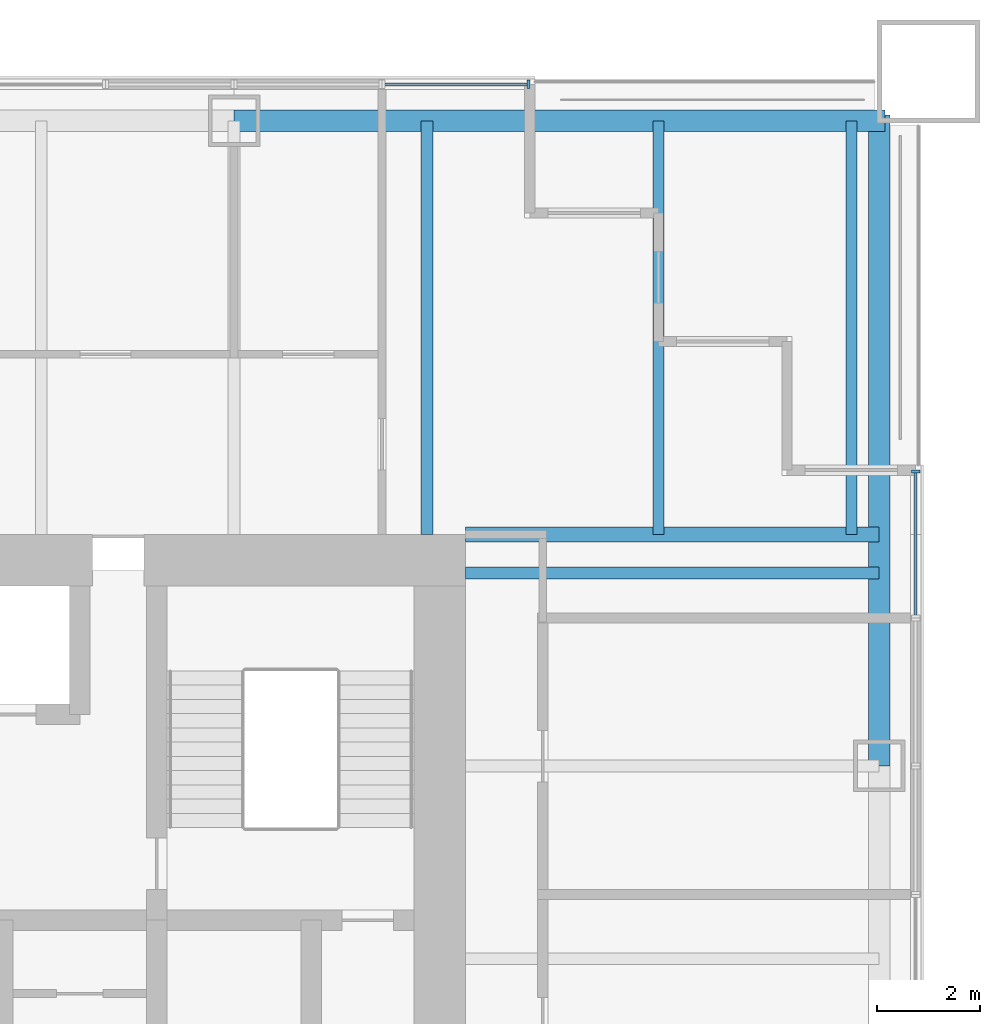
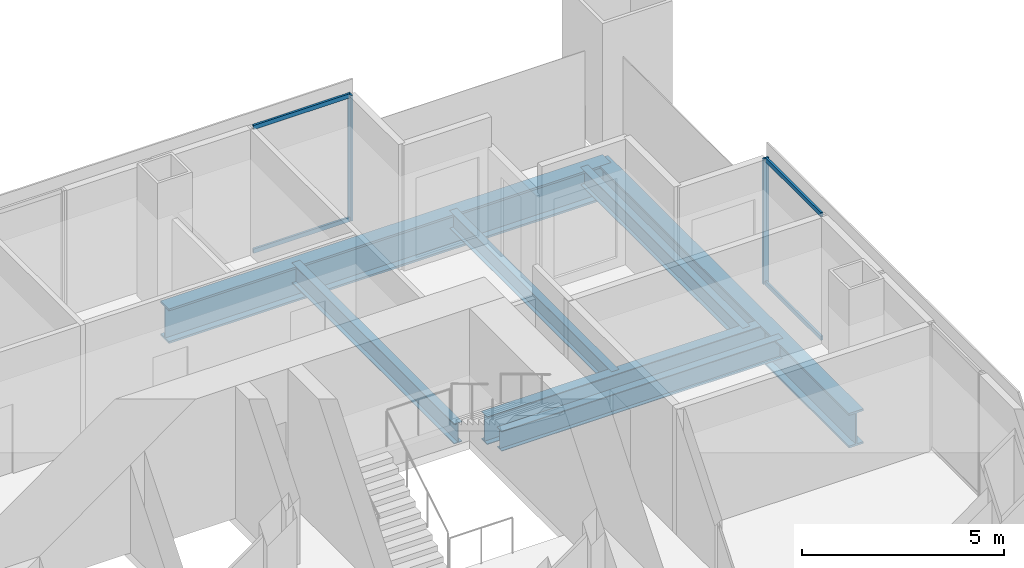
# One storey, part 7 of 15: 7 beams, 6 members, 2 elements without a shape of their own.
"""IFC4 building model written with IfcOpenShell, lengths in metres."""

from ifc_helpers import new_model, si_unit, direction, frame, origin, origin_2d, place, context, subcontext, project, spatial, rectangle, i_section, extrude, material, material_profile, profile_set, type_object, element, aggregate, save


model = new_model("IFC4")

# Units and contexts
model_context = context("Model", 3, precision=1e-05, world=origin(), true_north=direction((0.0, 1.0)))
body_context = subcontext(model_context, "Body", "Model", "MODEL_VIEW")
ifc_project = project(units=[si_unit("LENGTHUNIT", "METRE"), si_unit("AREAUNIT", "SQUARE_METRE"), si_unit("VOLUMEUNIT", "CUBIC_METRE"), si_unit("PLANEANGLEUNIT", "RADIAN"), si_unit("MASSUNIT", "GRAM", prefix="KILO")], contexts=[model_context])

# Site, building, storey
site_placement = place(None, origin())
site = spatial("IfcSite", under=ifc_project, at=site_placement, CompositionType="ELEMENT")
building_placement = place(site_placement, origin())
building = spatial("IfcBuilding", under=site, at=building_placement, Name="Tarangal Relay Tower", CompositionType="ELEMENT")
storey_placement = place(building_placement, frame((0.0, 0.0, 331.89990234375)))
storey = spatial("IfcBuildingStorey", under=building, at=storey_placement, Name="L74", CompositionType="ELEMENT", Elevation=331.89990234375)

# Beams
ifc_material_1 = material(Name="Steel ASTM A992", Category="steel")
ifc_material_profile_1 = material_profile(ifc_material_1, i_section(OverallWidth=0.209228515625, OverallDepth=0.533447265625, WebThickness=0.01025390625, FlangeThickness=0.015625, at=origin_2d()), Name="W21X62")
ifc_profile_set_1 = profile_set([ifc_material_profile_1], Name="Steel ASTM A992")
beam_type_1 = type_object("IfcBeamType", Name="Corner beam W21X62", PredefinedType="JOIST", material=ifc_profile_set_1)
for number, where, z_axis, x_axis, name in (
    (1, (15.75, 12.0, -0.41650390625), (0.0, 1.0, 0.0), (-1.0, 0.0, 0.0), "Corner beam CB12 N L74"),
    (2, (19.5, 12.0, -0.41650390625), (0.0, 1.0, 0.0), (-1.0, 0.0, 0.0), "Corner beam CB12 N L74"),
):
    element("IfcBeam", number, at=place(storey_placement, frame(where, z_axis=z_axis, x_axis=x_axis)), inside=storey, type_object=beam_type_1, Name=name, PredefinedType="JOIST", context=body_context, shape_type="SweptSolid", body=[
        extrude(i_section(OverallWidth=0.209228515625, OverallDepth=0.533447265625, WebThickness=0.01025390625, FlangeThickness=0.015625, at=origin_2d()), origin(), (0.0, 0.0, 1.0), 8.0400390625),
    ])
ifc_material_profile_2 = material_profile(ifc_material_1, i_section(OverallWidth=0.2919921875, OverallDepth=0.8408203125, WebThickness=0.0146484375, FlangeThickness=0.021728515625, at=origin_2d()), Name="W33X130")
ifc_profile_set_2 = profile_set([ifc_material_profile_2], Name="Steel ASTM A992")
beam_type_2 = type_object("IfcBeamType", Name="Corner girder W33X130", PredefinedType="BEAM", material=ifc_profile_set_2)
beam_placement = place(storey_placement, frame((12.0, 12.0, -0.5703125), z_axis=(1.0, 0.0, 0.0), x_axis=(0.0, 1.0, 0.0)))
element("IfcBeam", 3, at=beam_placement, inside=storey, type_object=beam_type_2, Name="Corner girder CG5 N L74", PredefinedType="BEAM", context=body_context, shape_type="SweptSolid", body=[
    extrude(i_section(OverallWidth=0.2919921875, OverallDepth=0.8408203125, WebThickness=0.0146484375, FlangeThickness=0.021728515625, at=origin_2d()), origin(), (0.0, 0.0, 1.0), 8.0400390625),
])
ifc_material_profile_3 = material_profile(ifc_material_1, i_section(OverallWidth=0.41162109375, OverallDepth=1.049072265625, WebThickness=0.033935546875, FlangeThickness=0.059814453125, at=origin_2d()), Name="W40X431")
ifc_profile_set_3 = profile_set([ifc_material_profile_3], Name="Steel ASTM A992")
beam_type_3 = type_object("IfcBeamType", Name="Edge girder W40X431", PredefinedType="SPANDREL", material=ifc_profile_set_3)
for number, where, z_axis, x_axis, name in (
    (4, (7.5, 20.0400390625, -0.67431640625), (1.0, 0.0, 0.0), (0.0, 1.0, 0.0), "Edge girder EG1 N L74"),
    (5, (20.0400390625, 20.14990234375, -0.67431640625), (0.0, -1.0, 0.0), (1.0, 0.0, 0.0), "Edge girder EG1 E L74"),
):
    element("IfcBeam", number, at=place(storey_placement, frame(where, z_axis=z_axis, x_axis=x_axis)), inside=storey, type_object=beam_type_3, Name=name, PredefinedType="SPANDREL", context=body_context, shape_type="SweptSolid", body=[
        extrude(i_section(OverallWidth=0.41162109375, OverallDepth=1.049072265625, WebThickness=0.033935546875, FlangeThickness=0.059814453125, at=origin_2d()), origin(), (0.0, 0.0, 1.0), 12.64990234375),
    ])
ifc_material_profile_4 = material_profile(ifc_material_1, i_section(OverallWidth=0.228271484375, OverallDepth=0.607177734375, WebThickness=0.01123046875, FlangeThickness=0.017333984375, at=origin_2d()), Name="W24X76")
ifc_profile_set_4 = profile_set([ifc_material_profile_4], Name="Steel ASTM A992")
beam_type_4 = type_object("IfcBeamType", Name="Floor beam W24X76", PredefinedType="BEAM", material=ifc_profile_set_4)
for number, where, z_axis, x_axis, name in (
    (6, (11.25, 12.0, -0.453369140625), (0.0, 1.0, 0.0), (-1.0, 0.0, 0.0), "Floor beam RB5 N L74"),
    (7, (12.0, 11.25, -0.453369140625), (1.0, 0.0, 0.0), (0.0, 1.0, 0.0), "Floor beam RB5 E L74"),
):
    element("IfcBeam", number, at=place(storey_placement, frame(where, z_axis=z_axis, x_axis=x_axis)), inside=storey, type_object=beam_type_4, Name=name, PredefinedType="BEAM", context=body_context, shape_type="SweptSolid", body=[
        extrude(i_section(OverallWidth=0.228271484375, OverallDepth=0.607177734375, WebThickness=0.01123046875, FlangeThickness=0.017333984375, at=origin_2d()), origin(), (0.0, 0.0, 1.0), 8.0400390625),
    ])

# Curtain wall, member
ifc_material_2 = material(Name="Unitised curtain wall, dark glass and black aluminium", Category="aluminium")
curtain_wall_type = type_object("IfcCurtainWallType", Name="Curtain wall CW-B", PredefinedType="USERDEFINED", material=ifc_material_2)
curtain_wall_1_placement = place(storey_placement, origin())
curtain_wall_1 = element("IfcCurtainWall", 8, at=curtain_wall_1_placement, inside=storey, type_object=curtain_wall_type, Name="Curtain wall CW-B N facade L74", ObjectType="UNITISED CURTAIN WALL", PredefinedType="USERDEFINED")
ifc_material_3 = material(Name="Black anodised aluminium mullion", Category="aluminium")
ifc_material_profile_5 = material_profile(ifc_material_3, rectangle(XDim=0.159912109375, YDim=0.06005859375, at=origin_2d()), Name="CW-BM 60X160")
ifc_profile_set_5 = profile_set([ifc_material_profile_5], Name="Black anodised aluminium mullion")
member_type_1 = type_object("IfcMemberType", Name="Mullion CW-B 60 x 160", PredefinedType="MULLION", material=ifc_profile_set_5)
member_1_placement = place(storey_placement, frame((13.219970703125, 20.75, 0.0), z_axis=(0.0, 0.0, 1.0), x_axis=(0.0, 1.0, 0.0)))
member_1 = element("IfcMember", 9, at=member_1_placement, type_object=member_type_1, Name="CW-B mullion 2", PredefinedType="MULLION", context=body_context, shape_type="SweptSolid", body=[
    extrude(rectangle(XDim=0.159912109375, YDim=0.06005859375, at=origin_2d()), origin(), (0.0, 0.0, 1.0), 3.800048828125),
])

curtain_wall_2_placement = place(storey_placement, origin())
curtain_wall_2 = element("IfcCurtainWall", 10, at=curtain_wall_2_placement, inside=storey, type_object=curtain_wall_type, Name="Curtain wall CW-B E facade L74", ObjectType="UNITISED CURTAIN WALL", PredefinedType="USERDEFINED")
member_2_placement = place(storey_placement, frame((20.75, 13.219970703125, 0.0), z_axis=(0.0, 0.0, 1.0), x_axis=(1.0, 0.0, 0.0)))
member_2 = element("IfcMember", 11, at=member_2_placement, type_object=member_type_1, Name="CW-B mullion 1", PredefinedType="MULLION", context=body_context, shape_type="SweptSolid", body=[
    extrude(rectangle(XDim=0.159912109375, YDim=0.06005859375, at=origin_2d()), origin(), (0.0, 0.0, 1.0), 3.800048828125),
])

# Member
ifc_material_4 = material(Name="Black anodised aluminium transom", Category="aluminium")
ifc_material_profile_6 = material_profile(ifc_material_4, rectangle(XDim=0.06005859375, YDim=0.1298828125, at=origin_2d()), Name="CW-BT 60X130")
ifc_profile_set_6 = profile_set([ifc_material_profile_6], Name="Black anodised aluminium transom")
member_type_2 = type_object("IfcMemberType", Name="Transom CW-B 60 x 130", PredefinedType="USERDEFINED", material=ifc_profile_set_6)
member_3_placement = place(storey_placement, frame((10.43505859375, 20.75, 0.030029296875), z_axis=(1.0, 0.0, 0.0), x_axis=(0.0, 1.0, 0.0)))
member_3 = element("IfcMember", 12, at=member_3_placement, type_object=member_type_2, Name="CW-B transom 1.1", ObjectType="TRANSOM", PredefinedType="USERDEFINED", context=body_context, shape_type="SweptSolid", body=[
    extrude(rectangle(XDim=0.06005859375, YDim=0.1298828125, at=origin_2d()), origin(), (0.0, 0.0, 1.0), 2.7548828125),
])

member_4_placement = place(storey_placement, frame((10.43505859375, 20.75, 3.77001953125), z_axis=(1.0, 0.0, 0.0), x_axis=(0.0, 1.0, 0.0)))
member_4 = element("IfcMember", 13, at=member_4_placement, type_object=member_type_2, Name="CW-B transom 1.2", ObjectType="TRANSOM", PredefinedType="USERDEFINED", context=body_context, shape_type="SweptSolid", body=[
    extrude(rectangle(XDim=0.06005859375, YDim=0.1298828125, at=origin_2d()), origin(), (0.0, 0.0, 1.0), 2.7548828125),
])

aggregate(curtain_wall_1, [member_1, member_3, member_4])

member_5_placement = place(storey_placement, frame((20.75, 13.18994140625, 0.030029296875), z_axis=(0.0, -1.0, 0.0), x_axis=(1.0, 0.0, 0.0)))
member_5 = element("IfcMember", 14, at=member_5_placement, type_object=member_type_2, Name="CW-B transom 1.1", ObjectType="TRANSOM", PredefinedType="USERDEFINED", context=body_context, shape_type="SweptSolid", body=[
    extrude(rectangle(XDim=0.06005859375, YDim=0.1298828125, at=origin_2d()), origin(), (0.0, 0.0, 1.0), 2.7548828125),
])

member_6_placement = place(storey_placement, frame((20.75, 13.18994140625, 3.77001953125), z_axis=(0.0, -1.0, 0.0), x_axis=(1.0, 0.0, 0.0)))
member_6 = element("IfcMember", 15, at=member_6_placement, type_object=member_type_2, Name="CW-B transom 1.2", ObjectType="TRANSOM", PredefinedType="USERDEFINED", context=body_context, shape_type="SweptSolid", body=[
    extrude(rectangle(XDim=0.06005859375, YDim=0.1298828125, at=origin_2d()), origin(), (0.0, 0.0, 1.0), 2.7548828125),
])

aggregate(curtain_wall_2, [member_2, member_5, member_6])

save(model, "model.ifc")
